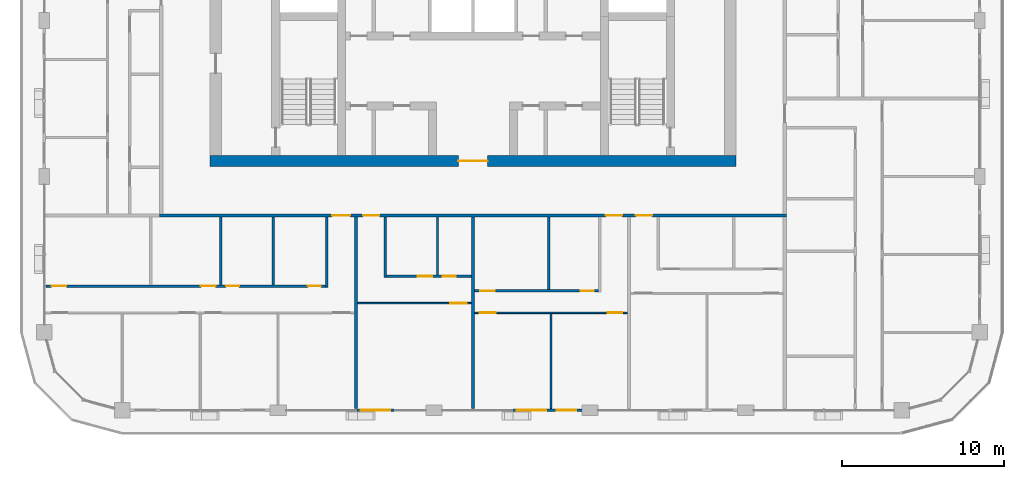
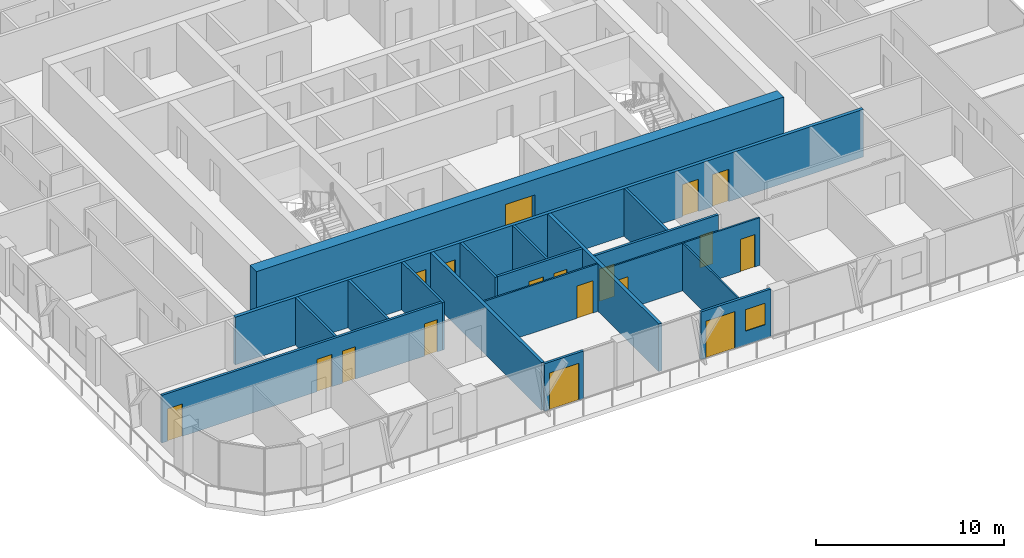
# One storey, part 9 of 22: 18 doors, 18 walls, 1 window, 19 openings.
"""IFC4 building model written with IfcOpenShell, lengths in metres."""

from ifc_helpers import new_model, si_unit, direction, frame, frame_2d, origin, place, context, subcontext, project, spatial, rectangle, extrude, material, layer, layer_set, type_object, element, fill, save


model = new_model("IFC4")

# Units and contexts
model_context = context("Model", 3, precision=1e-05, world=origin(), true_north=direction((0.0, 1.0)))
body_context = subcontext(model_context, "Body", "Model", "MODEL_VIEW")
ifc_project = project(units=[si_unit("LENGTHUNIT", "METRE"), si_unit("AREAUNIT", "SQUARE_METRE"), si_unit("VOLUMEUNIT", "CUBIC_METRE"), si_unit("PLANEANGLEUNIT", "RADIAN"), si_unit("MASSUNIT", "GRAM", prefix="KILO")], contexts=[model_context])

# Site, building, storey
site_placement = place(None, origin())
site = spatial("IfcSite", under=ifc_project, at=site_placement, CompositionType="ELEMENT")
building_placement = place(site_placement, origin())
building = spatial("IfcBuilding", under=site, at=building_placement, Name="Madar Terraces", CompositionType="ELEMENT")
storey_placement = place(building_placement, frame((0.0, 0.0, 199.89990234375)))
storey = spatial("IfcBuildingStorey", under=building, at=storey_placement, Name="L52", CompositionType="ELEMENT", Elevation=199.89990234375)

# Wall, opening, door
ifc_material_1 = material(Name="Concrete C60/75", Category="concrete")
ifc_layer_1 = layer(ifc_material_1, 0.699951171875)
ifc_layer_set_1 = layer_set([ifc_layer_1], Name="Concrete C60/75 (CRW4 RC wall 700)")
wall_type_1 = type_object("IfcWallType", Name="CRW4 RC wall 700", PredefinedType="SHEAR", material=ifc_layer_set_1)
wall_1_placement = place(storey_placement, frame((15.0, 15.35009765625, 0.0), z_axis=(0.0, 0.0, 1.0), x_axis=(1.0, 0.0, 0.0)))
wall_1 = element("IfcWall", 1, at=wall_1_placement, inside=storey, type_object=wall_type_1, Name="CORE OUTER WALL", PredefinedType="SHEAR", context=body_context, shape_type="SweptSolid", body=[
    extrude(rectangle(XDim=32.39990234375, YDim=0.699951171875, at=frame_2d((16.199951171875, 0.0))), origin(), (0.0, 0.0, 1.0), 3.10009765625),
])
opening_1_placement = place(wall_1_placement, frame((15.300048828125, 0.0, 0.0)))
opening_1 = element("IfcOpeningElement", 2, at=opening_1_placement, cuts=wall_1, Name="Opening KD1", PredefinedType="OPENING", context=body_context, shape_type="SweptSolid", body=[
    extrude(rectangle(XDim=1.800048828125, YDim=2.10009765625, at=frame_2d((0.89990234375, 1.050048828125))), frame((0.0, 0.35986328125, 0.0), z_axis=(0.0, -1.0, 0.0), x_axis=(1.0, 0.0, 0.0)), (0.0, 0.0, 1.0), 0.719970703125),
])
ifc_material_2 = material(Name="Steel door leaf", Category="steel")
door_type_1 = type_object("IfcDoorType", Name="Lobby door pair 1800 x 2100", OperationType="DOUBLE_DOOR_SINGLE_SWING", PredefinedType="DOOR", material=ifc_material_2)
door_1_placement = place(opening_1_placement, frame((1.800048828125, 0.0, 0.0), z_axis=(0.0, 0.0, 1.0), x_axis=(-1.0, 0.0, 0.0)))
door_1 = element("IfcDoor", 3, at=door_1_placement, inside=storey, type_object=door_type_1, Name="LIFT LOBBY DOOR", OperationType="DOUBLE_DOOR_SINGLE_SWING", OverallHeight=2.10009765625, OverallWidth=1.800048828125, PredefinedType="DOOR", context=body_context, shape_type="SweptSolid", body=[
    extrude(rectangle(XDim=1.800048828125, YDim=2.10009765625, at=frame_2d((0.89990234375, 1.050048828125))), frame((0.0, 0.02490234375, 0.0), z_axis=(0.0, -1.0, 0.0), x_axis=(1.0, 0.0, 0.0)), (0.0, 0.0, 1.0), 0.050048828125),
])
fill(opening_1, door_1)

ifc_material_3 = material(Name="Aluminium composite panel, black, over insulated backing", Category="aluminium")
ifc_layer_2 = layer(ifc_material_3, 0.14990234375)
ifc_layer_set_2 = layer_set([ifc_layer_2], Name="Facade bay panel 150")
wall_type_2 = type_object("IfcWallType", Name="Facade bay panel 150", PredefinedType="SOLIDWALL", material=ifc_layer_set_2)
wall_2_placement = place(storey_placement, frame((24.0, 0.0, 0.0), z_axis=(0.0, 0.0, 1.0), x_axis=(1.0, 0.0, 0.0)))
wall_2 = element("IfcWall", 4, at=wall_2_placement, inside=storey, type_object=wall_type_2, Name="Facade bay panel", PredefinedType="SOLIDWALL", context=body_context, shape_type="SweptSolid", body=[
    extrude(rectangle(XDim=2.39990234375, YDim=0.14990234375, at=frame_2d((1.199951171875, 0.0))), origin(), (0.0, 0.0, 1.0), 3.10009765625),
])
opening_2_placement = place(wall_2_placement, frame((0.300048828125, 0.0, 0.0)))
opening_2 = element("IfcOpeningElement", 5, at=opening_2_placement, cuts=wall_2, Name="Opening ED1", PredefinedType="OPENING", context=body_context, shape_type="SweptSolid", body=[
    extrude(rectangle(XDim=1.800048828125, YDim=2.39990234375, at=frame_2d((0.89990234375, 1.199951171875))), frame((0.0, 0.0849609375, 0.0), z_axis=(0.0, -1.0, 0.0), x_axis=(1.0, 0.0, 0.0)), (0.0, 0.0, 1.0), 0.169921875),
])
ifc_material_4 = material(Name="Glass, clear, with black aluminium frame", Category="aluminium")
door_type_2 = type_object("IfcDoorType", Name="Balcony and terrace sliding door 1800 x 2400", OperationType="SLIDING_TO_LEFT", PredefinedType="DOOR", material=ifc_material_4)
door_2_placement = place(opening_2_placement, origin())
door_2 = element("IfcDoor", 6, at=door_2_placement, inside=storey, type_object=door_type_2, Name="Balcony door", OperationType="SLIDING_TO_LEFT", OverallHeight=2.39990234375, OverallWidth=1.800048828125, PredefinedType="DOOR", context=body_context, shape_type="SweptSolid", body=[
    extrude(rectangle(XDim=1.800048828125, YDim=2.39990234375, at=frame_2d((0.89990234375, 1.199951171875))), frame((0.0, 0.02490234375, 0.0), z_axis=(0.0, -1.0, 0.0), x_axis=(1.0, 0.0, 0.0)), (0.0, 0.0, 1.0), 0.050048828125),
])
fill(opening_2, door_2)

# Wall, openings, door, window
wall_3_placement = place(storey_placement, frame((33.60009765625, 0.0, 0.0), z_axis=(0.0, 0.0, 1.0), x_axis=(1.0, 0.0, 0.0)))
wall_3 = element("IfcWall", 7, at=wall_3_placement, inside=storey, type_object=wall_type_2, Name="Facade bay panel", PredefinedType="SOLIDWALL", context=body_context, shape_type="SweptSolid", body=[
    extrude(rectangle(XDim=4.2998046875, YDim=0.14990234375, at=frame_2d((2.14990234375, 0.0))), origin(), (0.0, 0.0, 1.0), 3.10009765625),
])
opening_3_placement = place(wall_3_placement, frame((0.300048828125, 0.0, 0.0)))
opening_3 = element("IfcOpeningElement", 8, at=opening_3_placement, cuts=wall_3, Name="Opening ED1", PredefinedType="OPENING", context=body_context, shape_type="SweptSolid", body=[
    extrude(rectangle(XDim=1.800048828125, YDim=2.39990234375, at=frame_2d((0.89990234375, 1.199951171875))), frame((0.0, 0.0849609375, 0.0), z_axis=(0.0, -1.0, 0.0), x_axis=(1.0, 0.0, 0.0)), (0.0, 0.0, 1.0), 0.169921875),
])
opening_4_placement = place(wall_3_placement, frame((2.75, 0.0, 0.89990234375)))
opening_4 = element("IfcOpeningElement", 9, at=opening_4_placement, cuts=wall_3, Name="Opening W1", PredefinedType="OPENING", context=body_context, shape_type="SweptSolid", body=[
    extrude(rectangle(XDim=1.199951171875, YDim=1.39990234375, at=frame_2d((0.60009765625, 0.699951171875))), frame((0.0, 0.0849609375, 0.0), z_axis=(0.0, -1.0, 0.0), x_axis=(1.0, 0.0, 0.0)), (0.0, 0.0, 1.0), 0.169921875),
])
door_3_placement = place(opening_3_placement, origin())
door_3 = element("IfcDoor", 10, at=door_3_placement, inside=storey, type_object=door_type_2, Name="Balcony door", OperationType="SLIDING_TO_RIGHT", OverallHeight=2.39990234375, OverallWidth=1.800048828125, PredefinedType="DOOR", context=body_context, shape_type="SweptSolid", body=[
    extrude(rectangle(XDim=1.800048828125, YDim=2.39990234375, at=frame_2d((0.89990234375, 1.199951171875))), frame((0.0, 0.02490234375, 0.0), z_axis=(0.0, -1.0, 0.0), x_axis=(1.0, 0.0, 0.0)), (0.0, 0.0, 1.0), 0.050048828125),
])
fill(opening_3, door_3)
ifc_material_5 = material(Name="Glass, clear, with black aluminium frame", Category="aluminium")
window_type = type_object("IfcWindowType", Name="Vent window 1200 x 1400", PartitioningType="SINGLE_PANEL", PredefinedType="WINDOW", material=ifc_material_5)
window_placement = place(opening_4_placement, origin())
window = element("IfcWindow", 11, at=window_placement, inside=storey, type_object=window_type, Name="Operable vent window", OverallHeight=1.39990234375, OverallWidth=1.199951171875, PartitioningType="SINGLE_PANEL", PredefinedType="WINDOW", context=body_context, shape_type="SweptSolid", body=[
    extrude(rectangle(XDim=1.199951171875, YDim=1.39990234375, at=frame_2d((0.60009765625, 0.699951171875))), frame((0.0, 0.030029296875, 0.0), z_axis=(0.0, -1.0, 0.0), x_axis=(1.0, 0.0, 0.0)), (0.0, 0.0, 1.0), 0.06005859375),
])
fill(opening_4, window)

# Wall, opening, door
ifc_material_6 = material(Name="Gypsum board on steel studs", Category="steel")
ifc_layer_3 = layer(ifc_material_6, 0.10009765625)
ifc_layer_set_3 = layer_set([ifc_layer_3], Name="Flat partition 100")
wall_type_3 = type_object("IfcWallType", Name="Flat partition 100", PredefinedType="PARTITIONING", material=ifc_layer_set_3)
wall_4_placement = place(storey_placement, frame((31.10009765625, 6.60009765625, 0.0), z_axis=(0.0, 0.0, 1.0), x_axis=(-1.0, 0.0, 0.0)))
wall_4 = element("IfcWall", 12, at=wall_4_placement, inside=storey, type_object=wall_type_3, Name="Flat partition 100", PredefinedType="PARTITIONING", context=body_context, shape_type="SweptSolid", body=[
    extrude(rectangle(XDim=7.0, YDim=0.10009765625, at=frame_2d((3.5, 0.0))), origin(), (0.0, 0.0, 1.0), 3.10009765625),
])
opening_5_placement = place(wall_4_placement, frame((0.300048828125, 0.0, 0.0)))
opening_5 = element("IfcOpeningElement", 13, at=opening_5_placement, cuts=wall_4, Name="Opening D3", PredefinedType="OPENING", context=body_context, shape_type="SweptSolid", body=[
    extrude(rectangle(XDim=1.0, YDim=2.10009765625, at=frame_2d((0.5, 1.050048828125))), frame((0.0, 0.06005859375, 0.0), z_axis=(0.0, -1.0, 0.0), x_axis=(1.0, 0.0, 0.0)), (0.0, 0.0, 1.0), 0.1201171875),
])
ifc_material_7 = material(Name="Timber door leaf", Category="wood")
door_type_3 = type_object("IfcDoorType", Name="Flat living room door 1000", OperationType="NOTDEFINED", PredefinedType="DOOR", material=ifc_material_7)
door_4_placement = place(opening_5_placement, origin())
door_4 = element("IfcDoor", 14, at=door_4_placement, inside=storey, type_object=door_type_3, Name="Flat living room door 1000", OperationType="SINGLE_SWING_LEFT", OverallHeight=2.10009765625, OverallWidth=1.0, PredefinedType="DOOR", context=body_context, shape_type="SweptSolid", body=[
    extrude(rectangle(XDim=1.0, YDim=2.10009765625, at=frame_2d((0.5, 1.050048828125))), frame((0.0, 0.02490234375, 0.0), z_axis=(0.0, -1.0, 0.0), x_axis=(1.0, 0.0, 0.0)), (0.0, 0.0, 1.0), 0.050048828125),
])
fill(opening_5, door_4)

# Wall
wall_5_placement = place(storey_placement, frame((36.0, 5.949951171875, 0.0), z_axis=(0.0, 0.0, 1.0), x_axis=(0.0, -1.0, 0.0)))
element("IfcWall", 15, at=wall_5_placement, inside=storey, type_object=wall_type_3, Name="Flat partition 100", PredefinedType="PARTITIONING", context=body_context, shape_type="SweptSolid", body=[
    extrude(rectangle(XDim=5.849853515625, YDim=0.10009765625, at=frame_2d((2.9248046875, 0.0))), origin(), (0.0, 0.0, 1.0), 3.10009765625),
])

# Wall, openings, doors
wall_6_placement = place(storey_placement, frame((40.699951171875, 6.0, 0.0), z_axis=(0.0, 0.0, 1.0), x_axis=(-1.0, 0.0, 0.0)))
wall_6 = element("IfcWall", 16, at=wall_6_placement, inside=storey, type_object=wall_type_3, Name="Flat partition 100", PredefinedType="PARTITIONING", context=body_context, shape_type="SweptSolid", body=[
    extrude(rectangle(XDim=9.39990234375, YDim=0.10009765625, at=frame_2d((4.699951171875, 0.0))), origin(), (0.0, 0.0, 1.0), 3.10009765625),
])
opening_6_placement = place(wall_6_placement, frame((0.300048828125, 0.0, 0.0)))
opening_6 = element("IfcOpeningElement", 17, at=opening_6_placement, cuts=wall_6, Name="Opening D2", PredefinedType="OPENING", context=body_context, shape_type="SweptSolid", body=[
    extrude(rectangle(XDim=0.89990234375, YDim=2.10009765625, at=frame_2d((0.449951171875, 1.050048828125))), frame((0.0, 0.06005859375, 0.0), z_axis=(0.0, -1.0, 0.0), x_axis=(1.0, 0.0, 0.0)), (0.0, 0.0, 1.0), 0.1201171875),
])
opening_7_placement = place(wall_6_placement, frame((8.10009765625, 0.0, 0.0)))
opening_7 = element("IfcOpeningElement", 18, at=opening_7_placement, cuts=wall_6, Name="Opening D3", PredefinedType="OPENING", context=body_context, shape_type="SweptSolid", body=[
    extrude(rectangle(XDim=1.0, YDim=2.10009765625, at=frame_2d((0.5, 1.050048828125))), frame((0.0, 0.06005859375, 0.0), z_axis=(0.0, -1.0, 0.0), x_axis=(1.0, 0.0, 0.0)), (0.0, 0.0, 1.0), 0.1201171875),
])
door_5_placement = place(opening_7_placement, origin())
door_5 = element("IfcDoor", 19, at=door_5_placement, inside=storey, type_object=door_type_3, Name="Flat living room door 1000", OperationType="SINGLE_SWING_RIGHT", OverallHeight=2.10009765625, OverallWidth=1.0, PredefinedType="DOOR", context=body_context, shape_type="SweptSolid", body=[
    extrude(rectangle(XDim=1.0, YDim=2.10009765625, at=frame_2d((0.5, 1.050048828125))), frame((0.0, 0.02490234375, 0.0), z_axis=(0.0, -1.0, 0.0), x_axis=(1.0, 0.0, 0.0)), (0.0, 0.0, 1.0), 0.050048828125),
])
fill(opening_7, door_5)
ifc_material_8 = material(Name="Timber door leaf", Category="wood")
door_type_4 = type_object("IfcDoorType", Name="Flat room door 900", OperationType="NOTDEFINED", PredefinedType="DOOR", material=ifc_material_8)
door_6_placement = place(opening_6_placement, origin())
door_6 = element("IfcDoor", 20, at=door_6_placement, inside=storey, type_object=door_type_4, Name="Flat room door 900", OperationType="SINGLE_SWING_LEFT", OverallHeight=2.10009765625, OverallWidth=0.89990234375, PredefinedType="DOOR", context=body_context, shape_type="SweptSolid", body=[
    extrude(rectangle(XDim=0.89990234375, YDim=2.10009765625, at=frame_2d((0.449951171875, 1.050048828125))), frame((0.0, 0.02490234375, 0.0), z_axis=(0.0, -1.0, 0.0), x_axis=(1.0, 0.0, 0.0)), (0.0, 0.0, 1.0), 0.050048828125),
])
fill(opening_6, door_6)

ifc_material_9 = material(Name="Lightweight blockwork", Category="masonry")
ifc_layer_4 = layer(ifc_material_9, 0.199951171875)
ifc_layer_set_4 = layer_set([ifc_layer_4], Name="Flat party and entrance wall 200")
wall_type_4 = type_object("IfcWallType", Name="Flat party and entrance wall 200", PredefinedType="PARTITIONING", material=ifc_layer_set_4)
wall_7_placement = place(storey_placement, frame((50.5, 12.0, 0.0), z_axis=(0.0, 0.0, 1.0), x_axis=(-1.0, 0.0, 0.0)))
wall_7 = element("IfcWall", 21, at=wall_7_placement, inside=storey, type_object=wall_type_4, Name="Flat party and entrance wall 200", PredefinedType="PARTITIONING", context=body_context, shape_type="SweptSolid", body=[
    extrude(rectangle(XDim=38.60009765625, YDim=0.199951171875, at=frame_2d((19.300048828125, 0.0))), origin(), (0.0, 0.0, 1.0), 3.10009765625),
])
opening_8_placement = place(wall_7_placement, frame((26.875, 0.0, 0.0)))
opening_8 = element("IfcOpeningElement", 22, at=opening_8_placement, cuts=wall_7, Name="Opening D6", PredefinedType="OPENING", context=body_context, shape_type="SweptSolid", body=[
    extrude(rectangle(XDim=1.10009765625, YDim=2.10009765625, at=frame_2d((0.550048828125, 1.050048828125))), frame((0.0, 0.10986328125, 0.0), z_axis=(0.0, -1.0, 0.0), x_axis=(1.0, 0.0, 0.0)), (0.0, 0.0, 1.0), 0.219970703125),
])
opening_9_placement = place(wall_7_placement, frame((25.074951171875, 0.0, 0.0)))
opening_9 = element("IfcOpeningElement", 23, at=opening_9_placement, cuts=wall_7, Name="Opening D1", PredefinedType="OPENING", context=body_context, shape_type="SweptSolid", body=[
    extrude(rectangle(XDim=1.0, YDim=2.10009765625, at=frame_2d((0.5, 1.050048828125))), frame((0.0, 0.10986328125, 0.0), z_axis=(0.0, -1.0, 0.0), x_axis=(1.0, 0.0, 0.0)), (0.0, 0.0, 1.0), 0.219970703125),
])
opening_10_placement = place(wall_7_placement, frame((10.125, 0.0, 0.0)))
opening_10 = element("IfcOpeningElement", 24, at=opening_10_placement, cuts=wall_7, Name="Opening D1", PredefinedType="OPENING", context=body_context, shape_type="SweptSolid", body=[
    extrude(rectangle(XDim=1.0, YDim=2.10009765625, at=frame_2d((0.5, 1.050048828125))), frame((0.0, 0.10986328125, 0.0), z_axis=(0.0, -1.0, 0.0), x_axis=(1.0, 0.0, 0.0)), (0.0, 0.0, 1.0), 0.219970703125),
])
opening_11_placement = place(wall_7_placement, frame((8.27490234375, 0.0, 0.0)))
opening_11 = element("IfcOpeningElement", 25, at=opening_11_placement, cuts=wall_7, Name="Opening D1", PredefinedType="OPENING", context=body_context, shape_type="SweptSolid", body=[
    extrude(rectangle(XDim=1.0, YDim=2.10009765625, at=frame_2d((0.5, 1.050048828125))), frame((0.0, 0.10986328125, 0.0), z_axis=(0.0, -1.0, 0.0), x_axis=(1.0, 0.0, 0.0)), (0.0, 0.0, 1.0), 0.219970703125),
])
ifc_material_10 = material(Name="Timber fire door leaf", Category="wood")
door_type_5 = type_object("IfcDoorType", Name="Flat entrance door 1000 FD30S", OperationType="NOTDEFINED", PredefinedType="DOOR", material=ifc_material_10)
door_7_placement = place(opening_9_placement, origin())
door_7 = element("IfcDoor", 26, at=door_7_placement, inside=storey, type_object=door_type_5, Name="Flat entrance door 1000 FD30S", OperationType="SINGLE_SWING_RIGHT", OverallHeight=2.10009765625, OverallWidth=1.0, PredefinedType="DOOR", context=body_context, shape_type="SweptSolid", body=[
    extrude(rectangle(XDim=1.0, YDim=2.10009765625, at=frame_2d((0.5, 1.050048828125))), frame((0.0, 0.02490234375, 0.0), z_axis=(0.0, -1.0, 0.0), x_axis=(1.0, 0.0, 0.0)), (0.0, 0.0, 1.0), 0.050048828125),
])
fill(opening_9, door_7)
door_8_placement = place(opening_10_placement, origin())
door_8 = element("IfcDoor", 27, at=door_8_placement, inside=storey, type_object=door_type_5, Name="Flat entrance door 1000 FD30S", OperationType="SINGLE_SWING_LEFT", OverallHeight=2.10009765625, OverallWidth=1.0, PredefinedType="DOOR", context=body_context, shape_type="SweptSolid", body=[
    extrude(rectangle(XDim=1.0, YDim=2.10009765625, at=frame_2d((0.5, 1.050048828125))), frame((0.0, 0.02490234375, 0.0), z_axis=(0.0, -1.0, 0.0), x_axis=(1.0, 0.0, 0.0)), (0.0, 0.0, 1.0), 0.050048828125),
])
fill(opening_10, door_8)
door_9_placement = place(opening_11_placement, origin())
door_9 = element("IfcDoor", 28, at=door_9_placement, inside=storey, type_object=door_type_5, Name="Flat entrance door 1000 FD30S", OperationType="SINGLE_SWING_RIGHT", OverallHeight=2.10009765625, OverallWidth=1.0, PredefinedType="DOOR", context=body_context, shape_type="SweptSolid", body=[
    extrude(rectangle(XDim=1.0, YDim=2.10009765625, at=frame_2d((0.5, 1.050048828125))), frame((0.0, 0.02490234375, 0.0), z_axis=(0.0, -1.0, 0.0), x_axis=(1.0, 0.0, 0.0)), (0.0, 0.0, 1.0), 0.050048828125),
])
fill(opening_11, door_9)
ifc_material_11 = material(Name="Timber fire door leaf", Category="wood")
door_type_6 = type_object("IfcDoorType", Name="Flat entrance door 1100 FD30S", OperationType="NOTDEFINED", PredefinedType="DOOR", material=ifc_material_11)
door_10_placement = place(opening_8_placement, origin())
door_10 = element("IfcDoor", 29, at=door_10_placement, inside=storey, type_object=door_type_6, Name="Flat entrance door 1100 FD30S", OperationType="SINGLE_SWING_LEFT", OverallHeight=2.10009765625, OverallWidth=1.10009765625, PredefinedType="DOOR", context=body_context, shape_type="SweptSolid", body=[
    extrude(rectangle(XDim=1.10009765625, YDim=2.10009765625, at=frame_2d((0.550048828125, 1.050048828125))), frame((0.0, 0.02490234375, 0.0), z_axis=(0.0, -1.0, 0.0), x_axis=(1.0, 0.0, 0.0)), (0.0, 0.0, 1.0), 0.050048828125),
])
fill(opening_8, door_10)

# Walls
for number, where, z_axis, x_axis, name in (
    (30, (24.0, 11.89990234375, 0.0), (0.0, 0.0, 1.0), (0.0, -1.0, 0.0), "Flat party and entrance wall 200"),
    (31, (31.199951171875, 11.89990234375, 0.0), (0.0, 0.0, 1.0), (0.0, -1.0, 0.0), "Flat party and entrance wall 200"),
):
    element("IfcWall", number, at=place(storey_placement, frame(where, z_axis=z_axis, x_axis=x_axis)), inside=storey, type_object=wall_type_4, Name=name, PredefinedType="PARTITIONING", context=body_context, shape_type="SweptSolid", body=[
        extrude(rectangle(XDim=11.7998046875, YDim=0.199951171875, at=frame_2d((5.89990234375, 0.0))), origin(), (0.0, 0.0, 1.0), 3.10009765625),
    ])
ifc_material_12 = material(Name="Lightweight blockwork", Category="masonry")
ifc_layer_5 = layer(ifc_material_12, 0.14990234375)
ifc_layer_set_5 = layer_set([ifc_layer_5], Name="Flat wet-room partition 150")
wall_type_5 = type_object("IfcWallType", Name="Flat wet-room partition 150", PredefinedType="PARTITIONING", material=ifc_layer_set_5)
for number, where, z_axis, x_axis, name in (
    (32, (18.895263671875, 11.89990234375, 0.0), (0.0, 0.0, 1.0), (0.0, -1.0, 0.0), "Flat wet-room partition 150"),
    (33, (15.66552734375, 11.89990234375, 0.0), (0.0, 0.0, 1.0), (0.0, -1.0, 0.0), "Flat wet-room partition 150"),
):
    element("IfcWall", number, at=place(storey_placement, frame(where, z_axis=z_axis, x_axis=x_axis)), inside=storey, type_object=wall_type_5, Name=name, PredefinedType="PARTITIONING", context=body_context, shape_type="SweptSolid", body=[
        extrude(rectangle(XDim=4.1748046875, YDim=0.14990234375, at=frame_2d((2.08740234375, 0.0))), origin(), (0.0, 0.0, 1.0), 3.10009765625),
    ])
wall_8_placement = place(storey_placement, frame((22.199951171875, 11.89990234375, 0.0), z_axis=(0.0, 0.0, 1.0), x_axis=(0.0, -1.0, 0.0)))
element("IfcWall", 34, at=wall_8_placement, inside=storey, type_object=wall_type_5, Name="Flat wet-room partition 150", PredefinedType="PARTITIONING", context=body_context, shape_type="SweptSolid", body=[
    extrude(rectangle(XDim=4.324951171875, YDim=0.14990234375, at=frame_2d((2.16259765625, 0.0))), origin(), (0.0, 0.0, 1.0), 3.10009765625),
])

# Wall, openings, doors
wall_9_placement = place(storey_placement, frame((4.89990234375, 7.64990234375, 0.0), z_axis=(0.0, 0.0, 1.0), x_axis=(1.0, 0.0, 0.0)))
wall_9 = element("IfcWall", 35, at=wall_9_placement, inside=storey, type_object=wall_type_5, Name="Flat wet-room partition 150", PredefinedType="PARTITIONING", context=body_context, shape_type="SweptSolid", body=[
    extrude(rectangle(XDim=17.22509765625, YDim=0.14990234375, at=frame_2d((8.612548828125, 0.0))), origin(), (0.0, 0.0, 1.0), 3.10009765625),
])
opening_12_placement = place(wall_9_placement, frame((16.125, 0.0, 0.0)))
opening_12 = element("IfcOpeningElement", 36, at=opening_12_placement, cuts=wall_9, Name="Opening D7", PredefinedType="OPENING", context=body_context, shape_type="SweptSolid", body=[
    extrude(rectangle(XDim=0.800048828125, YDim=2.10009765625, at=frame_2d((0.39990234375, 1.050048828125))), frame((0.0, 0.0849609375, 0.0), z_axis=(0.0, -1.0, 0.0), x_axis=(1.0, 0.0, 0.0)), (0.0, 0.0, 1.0), 0.169921875),
])
opening_13_placement = place(wall_9_placement, frame((11.090576171875, 0.0, 0.0)))
opening_13 = element("IfcOpeningElement", 37, at=opening_13_placement, cuts=wall_9, Name="Opening D4", PredefinedType="OPENING", context=body_context, shape_type="SweptSolid", body=[
    extrude(rectangle(XDim=0.800048828125, YDim=2.10009765625, at=frame_2d((0.39990234375, 1.050048828125))), frame((0.0, 0.0849609375, 0.0), z_axis=(0.0, -1.0, 0.0), x_axis=(1.0, 0.0, 0.0)), (0.0, 0.0, 1.0), 0.169921875),
])
opening_14_placement = place(wall_9_placement, frame((9.54052734375, 0.0, 0.0)))
opening_14 = element("IfcOpeningElement", 38, at=opening_14_placement, cuts=wall_9, Name="Opening D5", PredefinedType="OPENING", context=body_context, shape_type="SweptSolid", body=[
    extrude(rectangle(XDim=0.89990234375, YDim=2.10009765625, at=frame_2d((0.449951171875, 1.050048828125))), frame((0.0, 0.0849609375, 0.0), z_axis=(0.0, -1.0, 0.0), x_axis=(1.0, 0.0, 0.0)), (0.0, 0.0, 1.0), 0.169921875),
])
opening_15_placement = place(wall_9_placement, frame((0.35009765625, 0.0, 0.0)))
opening_15 = element("IfcOpeningElement", 39, at=opening_15_placement, cuts=wall_9, Name="Opening D2", PredefinedType="OPENING", context=body_context, shape_type="SweptSolid", body=[
    extrude(rectangle(XDim=0.89990234375, YDim=2.10009765625, at=frame_2d((0.449951171875, 1.050048828125))), frame((0.0, 0.0849609375, 0.0), z_axis=(0.0, -1.0, 0.0), x_axis=(1.0, 0.0, 0.0)), (0.0, 0.0, 1.0), 0.169921875),
])
ifc_material_13 = material(Name="Timber door leaf", Category="wood")
door_type_7 = type_object("IfcDoorType", Name="Flat accessible bathroom door 900", OperationType="NOTDEFINED", PredefinedType="DOOR", material=ifc_material_13)
door_11_placement = place(opening_14_placement, origin())
door_11 = element("IfcDoor", 40, at=door_11_placement, inside=storey, type_object=door_type_7, Name="Flat accessible bathroom door 900", OperationType="SINGLE_SWING_RIGHT", OverallHeight=2.10009765625, OverallWidth=0.89990234375, PredefinedType="DOOR", context=body_context, shape_type="SweptSolid", body=[
    extrude(rectangle(XDim=0.89990234375, YDim=2.10009765625, at=frame_2d((0.449951171875, 1.050048828125))), frame((0.0, 0.02490234375, 0.0), z_axis=(0.0, -1.0, 0.0), x_axis=(1.0, 0.0, 0.0)), (0.0, 0.0, 1.0), 0.050048828125),
])
fill(opening_14, door_11)
ifc_material_14 = material(Name="Timber door leaf", Category="wood")
door_type_8 = type_object("IfcDoorType", Name="Flat bathroom door 800", OperationType="NOTDEFINED", PredefinedType="DOOR", material=ifc_material_14)
door_12_placement = place(opening_13_placement, origin())
door_12 = element("IfcDoor", 41, at=door_12_placement, inside=storey, type_object=door_type_8, Name="Flat bathroom door 800", OperationType="SINGLE_SWING_LEFT", OverallHeight=2.10009765625, OverallWidth=0.800048828125, PredefinedType="DOOR", context=body_context, shape_type="SweptSolid", body=[
    extrude(rectangle(XDim=0.800048828125, YDim=2.10009765625, at=frame_2d((0.39990234375, 1.050048828125))), frame((0.0, 0.02490234375, 0.0), z_axis=(0.0, -1.0, 0.0), x_axis=(1.0, 0.0, 0.0)), (0.0, 0.0, 1.0), 0.050048828125),
])
fill(opening_13, door_12)
door_13_placement = place(opening_15_placement, origin())
door_13 = element("IfcDoor", 42, at=door_13_placement, inside=storey, type_object=door_type_4, Name="Flat room door 900", OperationType="SINGLE_SWING_LEFT", OverallHeight=2.10009765625, OverallWidth=0.89990234375, PredefinedType="DOOR", context=body_context, shape_type="SweptSolid", body=[
    extrude(rectangle(XDim=0.89990234375, YDim=2.10009765625, at=frame_2d((0.449951171875, 1.050048828125))), frame((0.0, 0.02490234375, 0.0), z_axis=(0.0, -1.0, 0.0), x_axis=(1.0, 0.0, 0.0)), (0.0, 0.0, 1.0), 0.050048828125),
])
fill(opening_15, door_13)
ifc_material_15 = material(Name="Timber door leaf", Category="wood")
door_type_9 = type_object("IfcDoorType", Name="Flat utility door 800", OperationType="NOTDEFINED", PredefinedType="DOOR", material=ifc_material_15)
door_14_placement = place(opening_12_placement, origin())
door_14 = element("IfcDoor", 43, at=door_14_placement, inside=storey, type_object=door_type_9, Name="Flat utility door 800", OperationType="SINGLE_SWING_RIGHT", OverallHeight=2.10009765625, OverallWidth=0.800048828125, PredefinedType="DOOR", context=body_context, shape_type="SweptSolid", body=[
    extrude(rectangle(XDim=0.800048828125, YDim=2.10009765625, at=frame_2d((0.39990234375, 1.050048828125))), frame((0.0, 0.02490234375, 0.0), z_axis=(0.0, -1.0, 0.0), x_axis=(1.0, 0.0, 0.0)), (0.0, 0.0, 1.0), 0.050048828125),
])
fill(opening_12, door_14)

# Walls
wall_10_placement = place(storey_placement, frame((29.010009765625, 11.89990234375, 0.0), z_axis=(0.0, 0.0, 1.0), x_axis=(0.0, -1.0, 0.0)))
element("IfcWall", 44, at=wall_10_placement, inside=storey, type_object=wall_type_5, Name="Flat wet-room partition 150", PredefinedType="PARTITIONING", context=body_context, shape_type="SweptSolid", body=[
    extrude(rectangle(XDim=3.574951171875, YDim=0.14990234375, at=frame_2d((1.78759765625, 0.0))), origin(), (0.0, 0.0, 1.0), 3.10009765625),
])
wall_11_placement = place(storey_placement, frame((25.800048828125, 11.89990234375, 0.0), z_axis=(0.0, 0.0, 1.0), x_axis=(0.0, -1.0, 0.0)))
element("IfcWall", 45, at=wall_11_placement, inside=storey, type_object=wall_type_5, Name="Flat wet-room partition 150", PredefinedType="PARTITIONING", context=body_context, shape_type="SweptSolid", body=[
    extrude(rectangle(XDim=3.724853515625, YDim=0.14990234375, at=frame_2d((1.8623046875, 0.0))), origin(), (0.0, 0.0, 1.0), 3.10009765625),
])

# Wall, openings, doors
wall_12_placement = place(storey_placement, frame((25.875, 8.25, 0.0), z_axis=(0.0, 0.0, 1.0), x_axis=(1.0, 0.0, 0.0)))
wall_12 = element("IfcWall", 46, at=wall_12_placement, inside=storey, type_object=wall_type_5, Name="Flat wet-room partition 150", PredefinedType="PARTITIONING", context=body_context, shape_type="SweptSolid", body=[
    extrude(rectangle(XDim=5.22509765625, YDim=0.14990234375, at=frame_2d((2.612548828125, 0.0))), origin(), (0.0, 0.0, 1.0), 3.10009765625),
])
opening_16_placement = place(wall_12_placement, frame((1.909912109375, 0.0, 0.0)))
opening_16 = element("IfcOpeningElement", 47, at=opening_16_placement, cuts=wall_12, Name="Opening D2", PredefinedType="OPENING", context=body_context, shape_type="SweptSolid", body=[
    extrude(rectangle(XDim=0.89990234375, YDim=2.10009765625, at=frame_2d((0.449951171875, 1.050048828125))), frame((0.0, 0.0849609375, 0.0), z_axis=(0.0, -1.0, 0.0), x_axis=(1.0, 0.0, 0.0)), (0.0, 0.0, 1.0), 0.169921875),
])
opening_17_placement = place(wall_12_placement, frame((3.4599609375, 0.0, 0.0)))
opening_17 = element("IfcOpeningElement", 48, at=opening_17_placement, cuts=wall_12, Name="Opening D4", PredefinedType="OPENING", context=body_context, shape_type="SweptSolid", body=[
    extrude(rectangle(XDim=0.800048828125, YDim=2.10009765625, at=frame_2d((0.39990234375, 1.050048828125))), frame((0.0, 0.0849609375, 0.0), z_axis=(0.0, -1.0, 0.0), x_axis=(1.0, 0.0, 0.0)), (0.0, 0.0, 1.0), 0.169921875),
])
door_15_placement = place(opening_17_placement, origin())
door_15 = element("IfcDoor", 49, at=door_15_placement, inside=storey, type_object=door_type_8, Name="Flat bathroom door 800", OperationType="SINGLE_SWING_LEFT", OverallHeight=2.10009765625, OverallWidth=0.800048828125, PredefinedType="DOOR", context=body_context, shape_type="SweptSolid", body=[
    extrude(rectangle(XDim=0.800048828125, YDim=2.10009765625, at=frame_2d((0.39990234375, 1.050048828125))), frame((0.0, 0.02490234375, 0.0), z_axis=(0.0, -1.0, 0.0), x_axis=(1.0, 0.0, 0.0)), (0.0, 0.0, 1.0), 0.050048828125),
])
fill(opening_17, door_15)
door_16_placement = place(opening_16_placement, origin())
door_16 = element("IfcDoor", 50, at=door_16_placement, inside=storey, type_object=door_type_4, Name="Flat room door 900", OperationType="SINGLE_SWING_RIGHT", OverallHeight=2.10009765625, OverallWidth=0.89990234375, PredefinedType="DOOR", context=body_context, shape_type="SweptSolid", body=[
    extrude(rectangle(XDim=0.89990234375, YDim=2.10009765625, at=frame_2d((0.449951171875, 1.050048828125))), frame((0.0, 0.02490234375, 0.0), z_axis=(0.0, -1.0, 0.0), x_axis=(1.0, 0.0, 0.0)), (0.0, 0.0, 1.0), 0.050048828125),
])
fill(opening_16, door_16)

# Wall
wall_13_placement = place(storey_placement, frame((35.875, 11.89990234375, 0.0), z_axis=(0.0, 0.0, 1.0), x_axis=(0.0, -1.0, 0.0)))
element("IfcWall", 51, at=wall_13_placement, inside=storey, type_object=wall_type_5, Name="Flat wet-room partition 150", PredefinedType="PARTITIONING", context=body_context, shape_type="SweptSolid", body=[
    extrude(rectangle(XDim=4.474853515625, YDim=0.14990234375, at=frame_2d((2.2373046875, 0.0))), origin(), (0.0, 0.0, 1.0), 3.10009765625),
])

# Wall, openings, doors
wall_14_placement = place(storey_placement, frame((31.300048828125, 7.35009765625, 0.0), z_axis=(0.0, 0.0, 1.0), x_axis=(1.0, 0.0, 0.0)))
wall_14 = element("IfcWall", 52, at=wall_14_placement, inside=storey, type_object=wall_type_5, Name="Flat wet-room partition 150", PredefinedType="PARTITIONING", context=body_context, shape_type="SweptSolid", body=[
    extrude(rectangle(XDim=7.625, YDim=0.14990234375, at=frame_2d((3.8125, 0.0))), origin(), (0.0, 0.0, 1.0), 3.10009765625),
])
opening_18_placement = place(wall_14_placement, frame((6.52490234375, 0.0, 0.0)))
opening_18 = element("IfcOpeningElement", 53, at=opening_18_placement, cuts=wall_14, Name="Opening D4", PredefinedType="OPENING", context=body_context, shape_type="SweptSolid", body=[
    extrude(rectangle(XDim=0.800048828125, YDim=2.10009765625, at=frame_2d((0.39990234375, 1.050048828125))), frame((0.0, 0.0849609375, 0.0), z_axis=(0.0, -1.0, 0.0), x_axis=(1.0, 0.0, 0.0)), (0.0, 0.0, 1.0), 0.169921875),
])
opening_19_placement = place(wall_14_placement, frame((0.35009765625, 0.0, 0.0)))
opening_19 = element("IfcOpeningElement", 54, at=opening_19_placement, cuts=wall_14, Name="Opening D2", PredefinedType="OPENING", context=body_context, shape_type="SweptSolid", body=[
    extrude(rectangle(XDim=0.89990234375, YDim=2.10009765625, at=frame_2d((0.449951171875, 1.050048828125))), frame((0.0, 0.0849609375, 0.0), z_axis=(0.0, -1.0, 0.0), x_axis=(1.0, 0.0, 0.0)), (0.0, 0.0, 1.0), 0.169921875),
])
door_17_placement = place(opening_18_placement, origin())
door_17 = element("IfcDoor", 55, at=door_17_placement, inside=storey, type_object=door_type_8, Name="Flat bathroom door 800", OperationType="SINGLE_SWING_RIGHT", OverallHeight=2.10009765625, OverallWidth=0.800048828125, PredefinedType="DOOR", context=body_context, shape_type="SweptSolid", body=[
    extrude(rectangle(XDim=0.800048828125, YDim=2.10009765625, at=frame_2d((0.39990234375, 1.050048828125))), frame((0.0, 0.02490234375, 0.0), z_axis=(0.0, -1.0, 0.0), x_axis=(1.0, 0.0, 0.0)), (0.0, 0.0, 1.0), 0.050048828125),
])
fill(opening_18, door_17)
door_18_placement = place(opening_19_placement, origin())
door_18 = element("IfcDoor", 56, at=door_18_placement, inside=storey, type_object=door_type_4, Name="Flat room door 900", OperationType="SINGLE_SWING_LEFT", OverallHeight=2.10009765625, OverallWidth=0.89990234375, PredefinedType="DOOR", context=body_context, shape_type="SweptSolid", body=[
    extrude(rectangle(XDim=0.89990234375, YDim=2.10009765625, at=frame_2d((0.449951171875, 1.050048828125))), frame((0.0, 0.02490234375, 0.0), z_axis=(0.0, -1.0, 0.0), x_axis=(1.0, 0.0, 0.0)), (0.0, 0.0, 1.0), 0.050048828125),
])
fill(opening_19, door_18)

save(model, "model.ifc")
